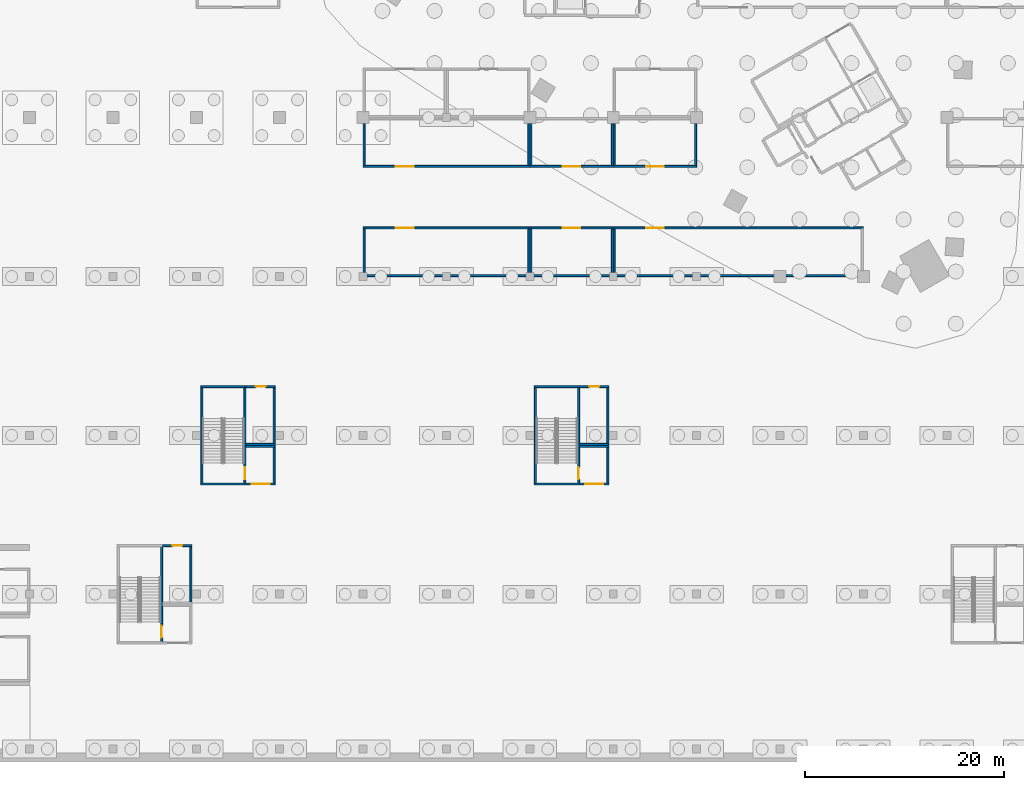
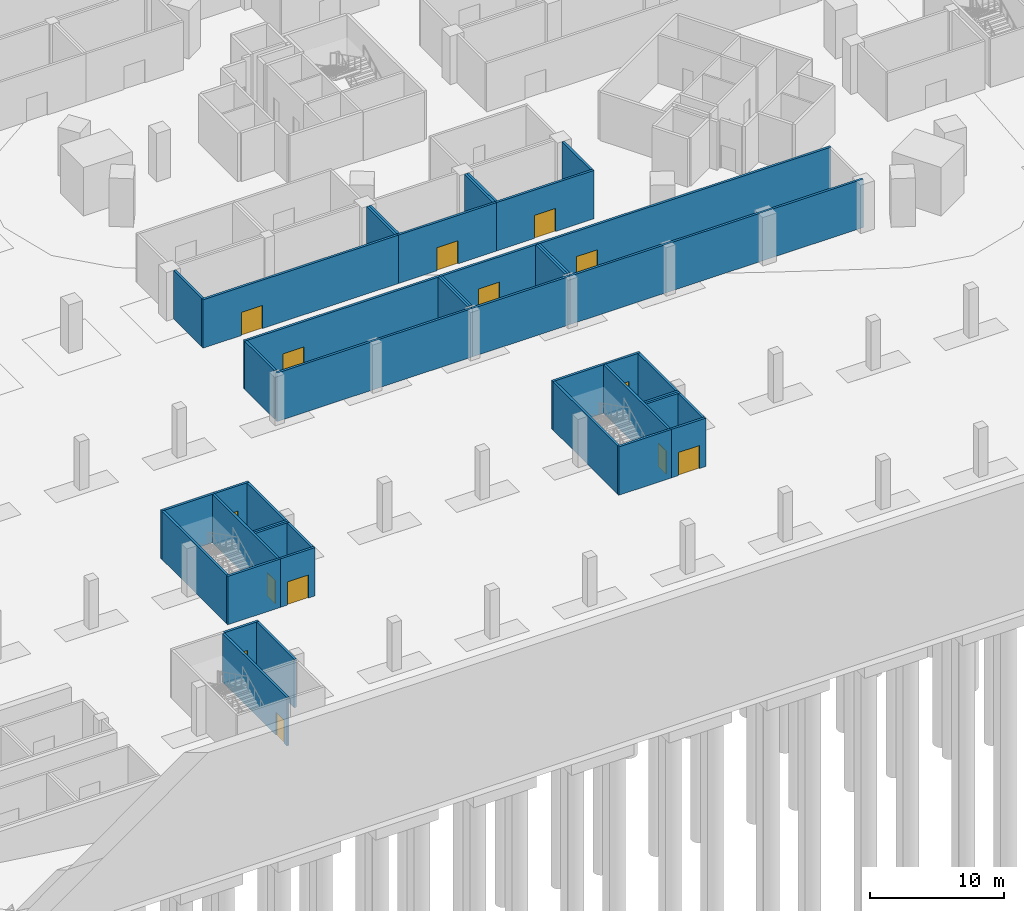
# One storey, part 9 of 46: 43 walls, 14 doors, 14 openings.
"""IFC4 building model written with IfcOpenShell, lengths in metres."""

from ifc_helpers import new_model, si_unit, direction, frame, frame_2d, origin, place, context, subcontext, project, spatial, rectangle, extrude, material, layer, layer_set, type_object, element, fill, save


model = new_model("IFC4")

# Units and contexts
model_context = context("Model", 3, precision=1e-05, world=origin(), true_north=direction((0.0, 1.0)))
body_context = subcontext(model_context, "Body", "Model", "MODEL_VIEW")
ifc_project = project(units=[si_unit("LENGTHUNIT", "METRE"), si_unit("AREAUNIT", "SQUARE_METRE"), si_unit("VOLUMEUNIT", "CUBIC_METRE"), si_unit("PLANEANGLEUNIT", "RADIAN"), si_unit("MASSUNIT", "GRAM", prefix="KILO")], contexts=[model_context])

# Site, building, storey
site_placement = place(None, origin())
site = spatial("IfcSite", under=ifc_project, at=site_placement, CompositionType="ELEMENT")
building_placement = place(site_placement, origin())
building = spatial("IfcBuilding", under=site, at=building_placement, Name="Tamra Quay Hotel Tower", CompositionType="ELEMENT")
storey_placement = place(building_placement, frame((0.0, 0.0, -12.0)))
storey = spatial("IfcBuildingStorey", under=building, at=storey_placement, Name="B3", CompositionType="ELEMENT", Elevation=-12.0)

# Wall
ifc_material_1 = material(Name="Blockwork", Category="masonry")
ifc_layer_1 = layer(ifc_material_1, 0.199951171875)
ifc_layer_set_1 = layer_set([ifc_layer_1], Name="Car park room wall 200")
wall_type_1 = type_object("IfcWallType", Name="Car park room wall 200", PredefinedType="PARTITIONING", material=ifc_layer_set_1)
wall_1_placement = place(storey_placement, frame((-38.699951171875, -31.89990234375, 0.0), z_axis=(0.0, 0.0, 1.0), x_axis=(1.0, 0.0, 0.0)))
element("IfcWall", 1, at=wall_1_placement, inside=storey, type_object=wall_type_1, Name="PW", PredefinedType="PARTITIONING", context=body_context, shape_type="SweptSolid", body=[
    extrude(rectangle(XDim=16.800048828125, YDim=0.199951171875, at=frame_2d((8.39990234375, 0.0))), origin(), (0.0, 0.0, 1.0), 4.39990234375),
])

# Wall, opening, door
wall_2_placement = place(storey_placement, frame((-38.699951171875, -27.10009765625, 0.0), z_axis=(0.0, 0.0, 1.0), x_axis=(1.0, 0.0, 0.0)))
wall_2 = element("IfcWall", 2, at=wall_2_placement, inside=storey, type_object=wall_type_1, Name="PW", PredefinedType="PARTITIONING", context=body_context, shape_type="SweptSolid", body=[
    extrude(rectangle(XDim=16.800048828125, YDim=0.199951171875, at=frame_2d((8.39990234375, 0.0))), origin(), (0.0, 0.0, 1.0), 4.39990234375),
])
opening_1_placement = place(wall_2_placement, frame((3.300048828125, 0.0, 0.0)))
opening_1 = element("IfcOpeningElement", 3, at=opening_1_placement, cuts=wall_2, Name="Opening PD2", PredefinedType="OPENING", context=body_context, shape_type="SweptSolid", body=[
    extrude(rectangle(XDim=1.800048828125, YDim=2.10009765625, at=frame_2d((0.89990234375, 1.050048828125))), frame((0.0, 0.10986328125, 0.0), z_axis=(0.0, -1.0, 0.0), x_axis=(1.0, 0.0, 0.0)), (0.0, 0.0, 1.0), 0.219970703125),
])
ifc_material_2 = material(Name="Plant door 1800 x 2100")
door_type_1 = type_object("IfcDoorType", Name="Plant door 1800 x 2100", OperationType="DOUBLE_DOOR_SINGLE_SWING", PredefinedType="DOOR", material=ifc_material_2)
door_1_placement = place(opening_1_placement, origin())
door_1 = element("IfcDoor", 4, at=door_1_placement, inside=storey, type_object=door_type_1, Name="PD2", OperationType="DOUBLE_DOOR_SINGLE_SWING", OverallHeight=2.10009765625, OverallWidth=1.800048828125, PredefinedType="DOOR", context=body_context, shape_type="SweptSolid", body=[
    extrude(rectangle(XDim=1.800048828125, YDim=2.10009765625, at=frame_2d((0.89990234375, 1.050048828125))), frame((0.0, 0.02490234375, 0.0), z_axis=(0.0, -1.0, 0.0), x_axis=(1.0, 0.0, 0.0)), (0.0, 0.0, 1.0), 0.050048828125),
])
fill(opening_1, door_1)

# Walls
for number, where, z_axis, x_axis, name in (
    (5, (-38.60009765625, -31.60009765625, 0.0), (0.0, 0.0, 1.0), (0.0, 1.0, 0.0), "PW"),
    (6, (-22.0, -31.60009765625, 0.0), (0.0, 0.0, 1.0), (0.0, 1.0, 0.0), "PW"),
):
    element("IfcWall", number, at=place(storey_placement, frame(where, z_axis=z_axis, x_axis=x_axis)), inside=storey, type_object=wall_type_1, Name=name, PredefinedType="PARTITIONING", context=body_context, shape_type="SweptSolid", body=[
        extrude(rectangle(XDim=4.400146484375, YDim=0.199951171875, at=frame_2d((2.2001953125, 0.0))), origin(), (0.0, 0.0, 1.0), 4.39990234375),
    ])
wall_3_placement = place(storey_placement, frame((-21.89990234375, -31.89990234375, 0.0), z_axis=(0.0, 0.0, 1.0), x_axis=(1.0, 0.0, 0.0)))
element("IfcWall", 7, at=wall_3_placement, inside=storey, type_object=wall_type_1, Name="PW", PredefinedType="PARTITIONING", context=body_context, shape_type="SweptSolid", body=[
    extrude(rectangle(XDim=8.39990234375, YDim=0.199951171875, at=frame_2d((4.199951171875, 0.0))), origin(), (0.0, 0.0, 1.0), 4.39990234375),
])

# Wall, opening, door
wall_4_placement = place(storey_placement, frame((-21.89990234375, -27.10009765625, 0.0), z_axis=(0.0, 0.0, 1.0), x_axis=(1.0, 0.0, 0.0)))
wall_4 = element("IfcWall", 8, at=wall_4_placement, inside=storey, type_object=wall_type_1, Name="PW", PredefinedType="PARTITIONING", context=body_context, shape_type="SweptSolid", body=[
    extrude(rectangle(XDim=8.39990234375, YDim=0.199951171875, at=frame_2d((4.199951171875, 0.0))), origin(), (0.0, 0.0, 1.0), 4.39990234375),
])
opening_2_placement = place(wall_4_placement, frame((3.300048828125, 0.0, 0.0)))
opening_2 = element("IfcOpeningElement", 9, at=opening_2_placement, cuts=wall_4, Name="Opening PD2", PredefinedType="OPENING", context=body_context, shape_type="SweptSolid", body=[
    extrude(rectangle(XDim=1.800048828125, YDim=2.10009765625, at=frame_2d((0.89990234375, 1.050048828125))), frame((0.0, 0.10986328125, 0.0), z_axis=(0.0, -1.0, 0.0), x_axis=(1.0, 0.0, 0.0)), (0.0, 0.0, 1.0), 0.219970703125),
])
door_2_placement = place(opening_2_placement, origin())
door_2 = element("IfcDoor", 10, at=door_2_placement, inside=storey, type_object=door_type_1, Name="PD2", OperationType="DOUBLE_DOOR_SINGLE_SWING", OverallHeight=2.10009765625, OverallWidth=1.800048828125, PredefinedType="DOOR", context=body_context, shape_type="SweptSolid", body=[
    extrude(rectangle(XDim=1.800048828125, YDim=2.10009765625, at=frame_2d((0.89990234375, 1.050048828125))), frame((0.0, 0.02490234375, 0.0), z_axis=(0.0, -1.0, 0.0), x_axis=(1.0, 0.0, 0.0)), (0.0, 0.0, 1.0), 0.050048828125),
])
fill(opening_2, door_2)

# Walls
for number, where, z_axis, x_axis, name in (
    (11, (-21.800048828125, -31.60009765625, 0.0), (0.0, 0.0, 1.0), (0.0, 1.0, 0.0), "PW"),
    (12, (-13.60009765625, -31.60009765625, 0.0), (0.0, 0.0, 1.0), (0.0, 1.0, 0.0), "PW"),
):
    element("IfcWall", number, at=place(storey_placement, frame(where, z_axis=z_axis, x_axis=x_axis)), inside=storey, type_object=wall_type_1, Name=name, PredefinedType="PARTITIONING", context=body_context, shape_type="SweptSolid", body=[
        extrude(rectangle(XDim=4.400146484375, YDim=0.199951171875, at=frame_2d((2.2001953125, 0.0))), origin(), (0.0, 0.0, 1.0), 4.39990234375),
    ])
wall_5_placement = place(storey_placement, frame((-13.5, -31.89990234375, 0.0), z_axis=(0.0, 0.0, 1.0), x_axis=(1.0, 0.0, 0.0)))
element("IfcWall", 13, at=wall_5_placement, inside=storey, type_object=wall_type_1, Name="PW", PredefinedType="PARTITIONING", context=body_context, shape_type="SweptSolid", body=[
    extrude(rectangle(XDim=25.199951171875, YDim=0.199951171875, at=frame_2d((12.60009765625, 0.0))), origin(), (0.0, 0.0, 1.0), 4.39990234375),
])

# Wall, opening, door
wall_6_placement = place(storey_placement, frame((-13.5, -27.10009765625, 0.0), z_axis=(0.0, 0.0, 1.0), x_axis=(1.0, 0.0, 0.0)))
wall_6 = element("IfcWall", 14, at=wall_6_placement, inside=storey, type_object=wall_type_1, Name="PW", PredefinedType="PARTITIONING", context=body_context, shape_type="SweptSolid", body=[
    extrude(rectangle(XDim=25.199951171875, YDim=0.199951171875, at=frame_2d((12.60009765625, 0.0))), origin(), (0.0, 0.0, 1.0), 4.39990234375),
])
opening_3_placement = place(wall_6_placement, frame((3.300048828125, 0.0, 0.0)))
opening_3 = element("IfcOpeningElement", 15, at=opening_3_placement, cuts=wall_6, Name="Opening PD2", PredefinedType="OPENING", context=body_context, shape_type="SweptSolid", body=[
    extrude(rectangle(XDim=1.800048828125, YDim=2.10009765625, at=frame_2d((0.89990234375, 1.050048828125))), frame((0.0, 0.10986328125, 0.0), z_axis=(0.0, -1.0, 0.0), x_axis=(1.0, 0.0, 0.0)), (0.0, 0.0, 1.0), 0.219970703125),
])
door_3_placement = place(opening_3_placement, origin())
door_3 = element("IfcDoor", 16, at=door_3_placement, inside=storey, type_object=door_type_1, Name="PD2", OperationType="DOUBLE_DOOR_SINGLE_SWING", OverallHeight=2.10009765625, OverallWidth=1.800048828125, PredefinedType="DOOR", context=body_context, shape_type="SweptSolid", body=[
    extrude(rectangle(XDim=1.800048828125, YDim=2.10009765625, at=frame_2d((0.89990234375, 1.050048828125))), frame((0.0, 0.02490234375, 0.0), z_axis=(0.0, -1.0, 0.0), x_axis=(1.0, 0.0, 0.0)), (0.0, 0.0, 1.0), 0.050048828125),
])
fill(opening_3, door_3)

# Wall
wall_7_placement = place(storey_placement, frame((-13.39990234375, -31.60009765625, 0.0), z_axis=(0.0, 0.0, 1.0), x_axis=(0.0, 1.0, 0.0)))
element("IfcWall", 17, at=wall_7_placement, inside=storey, type_object=wall_type_1, Name="PW", PredefinedType="PARTITIONING", context=body_context, shape_type="SweptSolid", body=[
    extrude(rectangle(XDim=4.400146484375, YDim=0.199951171875, at=frame_2d((2.2001953125, 0.0))), origin(), (0.0, 0.0, 1.0), 4.39990234375),
])

# Wall, opening, door
wall_8_placement = place(storey_placement, frame((-38.699951171875, -20.89990234375, 0.0), z_axis=(0.0, 0.0, 1.0), x_axis=(1.0, 0.0, 0.0)))
wall_8 = element("IfcWall", 18, at=wall_8_placement, inside=storey, type_object=wall_type_1, Name="PW", PredefinedType="PARTITIONING", context=body_context, shape_type="SweptSolid", body=[
    extrude(rectangle(XDim=16.800048828125, YDim=0.199951171875, at=frame_2d((8.39990234375, 0.0))), origin(), (0.0, 0.0, 1.0), 4.39990234375),
])
opening_4_placement = place(wall_8_placement, frame((3.300048828125, 0.0, 0.0)))
opening_4 = element("IfcOpeningElement", 19, at=opening_4_placement, cuts=wall_8, Name="Opening PD2", PredefinedType="OPENING", context=body_context, shape_type="SweptSolid", body=[
    extrude(rectangle(XDim=1.800048828125, YDim=2.10009765625, at=frame_2d((0.89990234375, 1.050048828125))), frame((0.0, 0.10986328125, 0.0), z_axis=(0.0, -1.0, 0.0), x_axis=(1.0, 0.0, 0.0)), (0.0, 0.0, 1.0), 0.219970703125),
])
door_4_placement = place(opening_4_placement, origin())
door_4 = element("IfcDoor", 20, at=door_4_placement, inside=storey, type_object=door_type_1, Name="PD2", OperationType="DOUBLE_DOOR_SINGLE_SWING", OverallHeight=2.10009765625, OverallWidth=1.800048828125, PredefinedType="DOOR", context=body_context, shape_type="SweptSolid", body=[
    extrude(rectangle(XDim=1.800048828125, YDim=2.10009765625, at=frame_2d((0.89990234375, 1.050048828125))), frame((0.0, 0.02490234375, 0.0), z_axis=(0.0, -1.0, 0.0), x_axis=(1.0, 0.0, 0.0)), (0.0, 0.0, 1.0), 0.050048828125),
])
fill(opening_4, door_4)

# Walls
for number, where, z_axis, x_axis, name in (
    (21, (-38.60009765625, -20.800048828125, 0.0), (0.0, 0.0, 1.0), (0.0, 1.0, 0.0), "PW"),
    (22, (-22.0, -20.800048828125, 0.0), (0.0, 0.0, 1.0), (0.0, 1.0, 0.0), "PW"),
):
    element("IfcWall", number, at=place(storey_placement, frame(where, z_axis=z_axis, x_axis=x_axis)), inside=storey, type_object=wall_type_1, Name=name, PredefinedType="PARTITIONING", context=body_context, shape_type="SweptSolid", body=[
        extrude(rectangle(XDim=4.199951171875, YDim=0.199951171875, at=frame_2d((2.10009765625, 0.0))), origin(), (0.0, 0.0, 1.0), 4.39990234375),
    ])

# Wall, opening, door
wall_9_placement = place(storey_placement, frame((-21.89990234375, -20.89990234375, 0.0), z_axis=(0.0, 0.0, 1.0), x_axis=(1.0, 0.0, 0.0)))
wall_9 = element("IfcWall", 23, at=wall_9_placement, inside=storey, type_object=wall_type_1, Name="PW", PredefinedType="PARTITIONING", context=body_context, shape_type="SweptSolid", body=[
    extrude(rectangle(XDim=8.39990234375, YDim=0.199951171875, at=frame_2d((4.199951171875, 0.0))), origin(), (0.0, 0.0, 1.0), 4.39990234375),
])
opening_5_placement = place(wall_9_placement, frame((3.300048828125, 0.0, 0.0)))
opening_5 = element("IfcOpeningElement", 24, at=opening_5_placement, cuts=wall_9, Name="Opening PD2", PredefinedType="OPENING", context=body_context, shape_type="SweptSolid", body=[
    extrude(rectangle(XDim=1.800048828125, YDim=2.10009765625, at=frame_2d((0.89990234375, 1.050048828125))), frame((0.0, 0.10986328125, 0.0), z_axis=(0.0, -1.0, 0.0), x_axis=(1.0, 0.0, 0.0)), (0.0, 0.0, 1.0), 0.219970703125),
])
door_5_placement = place(opening_5_placement, origin())
door_5 = element("IfcDoor", 25, at=door_5_placement, inside=storey, type_object=door_type_1, Name="PD2", OperationType="DOUBLE_DOOR_SINGLE_SWING", OverallHeight=2.10009765625, OverallWidth=1.800048828125, PredefinedType="DOOR", context=body_context, shape_type="SweptSolid", body=[
    extrude(rectangle(XDim=1.800048828125, YDim=2.10009765625, at=frame_2d((0.89990234375, 1.050048828125))), frame((0.0, 0.02490234375, 0.0), z_axis=(0.0, -1.0, 0.0), x_axis=(1.0, 0.0, 0.0)), (0.0, 0.0, 1.0), 0.050048828125),
])
fill(opening_5, door_5)

# Walls
for number, where, z_axis, x_axis, name in (
    (26, (-21.800048828125, -20.800048828125, 0.0), (0.0, 0.0, 1.0), (0.0, 1.0, 0.0), "PW"),
    (27, (-13.60009765625, -20.800048828125, 0.0), (0.0, 0.0, 1.0), (0.0, 1.0, 0.0), "PW"),
):
    element("IfcWall", number, at=place(storey_placement, frame(where, z_axis=z_axis, x_axis=x_axis)), inside=storey, type_object=wall_type_1, Name=name, PredefinedType="PARTITIONING", context=body_context, shape_type="SweptSolid", body=[
        extrude(rectangle(XDim=4.199951171875, YDim=0.199951171875, at=frame_2d((2.10009765625, 0.0))), origin(), (0.0, 0.0, 1.0), 4.39990234375),
    ])

# Wall, opening, door
wall_10_placement = place(storey_placement, frame((-13.5, -20.89990234375, 0.0), z_axis=(0.0, 0.0, 1.0), x_axis=(1.0, 0.0, 0.0)))
wall_10 = element("IfcWall", 28, at=wall_10_placement, inside=storey, type_object=wall_type_1, Name="PW", PredefinedType="PARTITIONING", context=body_context, shape_type="SweptSolid", body=[
    extrude(rectangle(XDim=8.39990234375, YDim=0.199951171875, at=frame_2d((4.199951171875, 0.0))), origin(), (0.0, 0.0, 1.0), 4.39990234375),
])
opening_6_placement = place(wall_10_placement, frame((3.300048828125, 0.0, 0.0)))
opening_6 = element("IfcOpeningElement", 29, at=opening_6_placement, cuts=wall_10, Name="Opening PD2", PredefinedType="OPENING", context=body_context, shape_type="SweptSolid", body=[
    extrude(rectangle(XDim=1.800048828125, YDim=2.10009765625, at=frame_2d((0.89990234375, 1.050048828125))), frame((0.0, 0.10986328125, 0.0), z_axis=(0.0, -1.0, 0.0), x_axis=(1.0, 0.0, 0.0)), (0.0, 0.0, 1.0), 0.219970703125),
])
door_6_placement = place(opening_6_placement, origin())
door_6 = element("IfcDoor", 30, at=door_6_placement, inside=storey, type_object=door_type_1, Name="PD2", OperationType="DOUBLE_DOOR_SINGLE_SWING", OverallHeight=2.10009765625, OverallWidth=1.800048828125, PredefinedType="DOOR", context=body_context, shape_type="SweptSolid", body=[
    extrude(rectangle(XDim=1.800048828125, YDim=2.10009765625, at=frame_2d((0.89990234375, 1.050048828125))), frame((0.0, 0.02490234375, 0.0), z_axis=(0.0, -1.0, 0.0), x_axis=(1.0, 0.0, 0.0)), (0.0, 0.0, 1.0), 0.050048828125),
])
fill(opening_6, door_6)

# Walls
for number, where, z_axis, x_axis, name in (
    (31, (-13.39990234375, -20.800048828125, 0.0), (0.0, 0.0, 1.0), (0.0, 1.0, 0.0), "PW"),
    (32, (-5.199951171875, -20.800048828125, 0.0), (0.0, 0.0, 1.0), (0.0, 1.0, 0.0), "PW"),
):
    element("IfcWall", number, at=place(storey_placement, frame(where, z_axis=z_axis, x_axis=x_axis)), inside=storey, type_object=wall_type_1, Name=name, PredefinedType="PARTITIONING", context=body_context, shape_type="SweptSolid", body=[
        extrude(rectangle(XDim=4.199951171875, YDim=0.199951171875, at=frame_2d((2.10009765625, 0.0))), origin(), (0.0, 0.0, 1.0), 4.39990234375),
    ])

# Wall, opening, door
wall_11_placement = place(storey_placement, frame((-58.89990234375, -59.10009765625, 0.0), z_axis=(0.0, 0.0, 1.0), x_axis=(1.0, 0.0, 0.0)))
wall_11 = element("IfcWall", 33, at=wall_11_placement, inside=storey, type_object=wall_type_1, Name="PW", PredefinedType="PARTITIONING", context=body_context, shape_type="SweptSolid", body=[
    extrude(rectangle(XDim=2.949951171875, YDim=0.199951171875, at=frame_2d((1.47509765625, 0.0))), origin(), (0.0, 0.0, 1.0), 4.39990234375),
])
opening_7_placement = place(wall_11_placement, frame((0.97509765625, 0.0, 0.0)))
opening_7 = element("IfcOpeningElement", 34, at=opening_7_placement, cuts=wall_11, Name="Opening PD1", PredefinedType="OPENING", context=body_context, shape_type="SweptSolid", body=[
    extrude(rectangle(XDim=1.0, YDim=2.10009765625, at=frame_2d((0.5, 1.050048828125))), frame((0.0, 0.10986328125, 0.0), z_axis=(0.0, -1.0, 0.0), x_axis=(1.0, 0.0, 0.0)), (0.0, 0.0, 1.0), 0.219970703125),
])
ifc_material_3 = material(Name="Car park door 1000 x 2100")
door_type_2 = type_object("IfcDoorType", Name="Car park door 1000 x 2100", OperationType="NOTDEFINED", PredefinedType="DOOR", material=ifc_material_3)
door_7_placement = place(opening_7_placement, origin())
door_7 = element("IfcDoor", 35, at=door_7_placement, inside=storey, type_object=door_type_2, Name="PD1", OperationType="SINGLE_SWING_LEFT", OverallHeight=2.10009765625, OverallWidth=1.0, PredefinedType="DOOR", context=body_context, shape_type="SweptSolid", body=[
    extrude(rectangle(XDim=1.0, YDim=2.10009765625, at=frame_2d((0.5, 1.050048828125))), frame((0.0, 0.02490234375, 0.0), z_axis=(0.0, -1.0, 0.0), x_axis=(1.0, 0.0, 0.0)), (0.0, 0.0, 1.0), 0.050048828125),
])
fill(opening_7, door_7)

# Wall
wall_12_placement = place(storey_placement, frame((-56.050048828125, -64.800048828125, 0.0), z_axis=(0.0, 0.0, 1.0), x_axis=(0.0, 1.0, 0.0)))
element("IfcWall", 36, at=wall_12_placement, inside=storey, type_object=wall_type_1, Name="PW", PredefinedType="PARTITIONING", context=body_context, shape_type="SweptSolid", body=[
    extrude(rectangle(XDim=5.60009765625, YDim=0.199951171875, at=frame_2d((2.800048828125, 0.0))), origin(), (0.0, 0.0, 1.0), 4.39990234375),
])

# Wall, opening, door
wall_13_placement = place(storey_placement, frame((-50.5, -52.89990234375, 0.0), z_axis=(0.0, 0.0, 1.0), x_axis=(1.0, 0.0, 0.0)))
wall_13 = element("IfcWall", 37, at=wall_13_placement, inside=storey, type_object=wall_type_1, Name="PW", PredefinedType="PARTITIONING", context=body_context, shape_type="SweptSolid", body=[
    extrude(rectangle(XDim=2.949951171875, YDim=0.199951171875, at=frame_2d((1.47509765625, 0.0))), origin(), (0.0, 0.0, 1.0), 4.39990234375),
])
opening_8_placement = place(wall_13_placement, frame((0.574951171875, 0.0, 0.0)))
opening_8 = element("IfcOpeningElement", 38, at=opening_8_placement, cuts=wall_13, Name="Opening PD2", PredefinedType="OPENING", context=body_context, shape_type="SweptSolid", body=[
    extrude(rectangle(XDim=1.800048828125, YDim=2.10009765625, at=frame_2d((0.89990234375, 1.050048828125))), frame((0.0, 0.10986328125, 0.0), z_axis=(0.0, -1.0, 0.0), x_axis=(1.0, 0.0, 0.0)), (0.0, 0.0, 1.0), 0.219970703125),
])
door_8_placement = place(opening_8_placement, origin())
door_8 = element("IfcDoor", 39, at=door_8_placement, inside=storey, type_object=door_type_1, Name="PD2", OperationType="DOUBLE_DOOR_SINGLE_SWING", OverallHeight=2.10009765625, OverallWidth=1.800048828125, PredefinedType="DOOR", context=body_context, shape_type="SweptSolid", body=[
    extrude(rectangle(XDim=1.800048828125, YDim=2.10009765625, at=frame_2d((0.89990234375, 1.050048828125))), frame((0.0, 0.02490234375, 0.0), z_axis=(0.0, -1.0, 0.0), x_axis=(1.0, 0.0, 0.0)), (0.0, 0.0, 1.0), 0.050048828125),
])
fill(opening_8, door_8)

# Walls
wall_14_placement = place(storey_placement, frame((-50.5, -49.10009765625, 0.0), z_axis=(0.0, 0.0, 1.0), x_axis=(1.0, 0.0, 0.0)))
element("IfcWall", 40, at=wall_14_placement, inside=storey, type_object=wall_type_1, Name="PW", PredefinedType="PARTITIONING", context=body_context, shape_type="SweptSolid", body=[
    extrude(rectangle(XDim=2.949951171875, YDim=0.199951171875, at=frame_2d((1.47509765625, 0.0))), origin(), (0.0, 0.0, 1.0), 4.39990234375),
])
wall_15_placement = place(storey_placement, frame((-47.64990234375, -52.800048828125, 0.0), z_axis=(0.0, 0.0, 1.0), x_axis=(0.0, 1.0, 0.0)))
element("IfcWall", 41, at=wall_15_placement, inside=storey, type_object=wall_type_1, Name="PW", PredefinedType="PARTITIONING", context=body_context, shape_type="SweptSolid", body=[
    extrude(rectangle(XDim=3.60009765625, YDim=0.199951171875, at=frame_2d((1.800048828125, 0.0))), origin(), (0.0, 0.0, 1.0), 4.39990234375),
])
wall_16_placement = place(storey_placement, frame((-50.5, -48.89990234375, 0.0), z_axis=(0.0, 0.0, 1.0), x_axis=(1.0, 0.0, 0.0)))
element("IfcWall", 42, at=wall_16_placement, inside=storey, type_object=wall_type_1, Name="PW", PredefinedType="PARTITIONING", context=body_context, shape_type="SweptSolid", body=[
    extrude(rectangle(XDim=2.949951171875, YDim=0.199951171875, at=frame_2d((1.47509765625, 0.0))), origin(), (0.0, 0.0, 1.0), 4.39990234375),
])

# Wall, opening, door
wall_17_placement = place(storey_placement, frame((-50.5, -43.10009765625, 0.0), z_axis=(0.0, 0.0, 1.0), x_axis=(1.0, 0.0, 0.0)))
wall_17 = element("IfcWall", 43, at=wall_17_placement, inside=storey, type_object=wall_type_1, Name="PW", PredefinedType="PARTITIONING", context=body_context, shape_type="SweptSolid", body=[
    extrude(rectangle(XDim=2.949951171875, YDim=0.199951171875, at=frame_2d((1.47509765625, 0.0))), origin(), (0.0, 0.0, 1.0), 4.39990234375),
])
opening_9_placement = place(wall_17_placement, frame((0.97509765625, 0.0, 0.0)))
opening_9 = element("IfcOpeningElement", 44, at=opening_9_placement, cuts=wall_17, Name="Opening PD1", PredefinedType="OPENING", context=body_context, shape_type="SweptSolid", body=[
    extrude(rectangle(XDim=1.0, YDim=2.10009765625, at=frame_2d((0.5, 1.050048828125))), frame((0.0, 0.10986328125, 0.0), z_axis=(0.0, -1.0, 0.0), x_axis=(1.0, 0.0, 0.0)), (0.0, 0.0, 1.0), 0.219970703125),
])
door_9_placement = place(opening_9_placement, origin())
door_9 = element("IfcDoor", 45, at=door_9_placement, inside=storey, type_object=door_type_2, Name="PD1", OperationType="SINGLE_SWING_LEFT", OverallHeight=2.10009765625, OverallWidth=1.0, PredefinedType="DOOR", context=body_context, shape_type="SweptSolid", body=[
    extrude(rectangle(XDim=1.0, YDim=2.10009765625, at=frame_2d((0.5, 1.050048828125))), frame((0.0, 0.02490234375, 0.0), z_axis=(0.0, -1.0, 0.0), x_axis=(1.0, 0.0, 0.0)), (0.0, 0.0, 1.0), 0.050048828125),
])
fill(opening_9, door_9)

# Wall
wall_18_placement = place(storey_placement, frame((-47.64990234375, -48.800048828125, 0.0), z_axis=(0.0, 0.0, 1.0), x_axis=(0.0, 1.0, 0.0)))
element("IfcWall", 46, at=wall_18_placement, inside=storey, type_object=wall_type_1, Name="PW", PredefinedType="PARTITIONING", context=body_context, shape_type="SweptSolid", body=[
    extrude(rectangle(XDim=5.60009765625, YDim=0.199951171875, at=frame_2d((2.800048828125, 0.0))), origin(), (0.0, 0.0, 1.0), 4.39990234375),
])

# Wall, opening, door
wall_19_placement = place(storey_placement, frame((-16.89990234375, -52.89990234375, 0.0), z_axis=(0.0, 0.0, 1.0), x_axis=(1.0, 0.0, 0.0)))
wall_19 = element("IfcWall", 47, at=wall_19_placement, inside=storey, type_object=wall_type_1, Name="PW", PredefinedType="PARTITIONING", context=body_context, shape_type="SweptSolid", body=[
    extrude(rectangle(XDim=2.949951171875, YDim=0.199951171875, at=frame_2d((1.47509765625, 0.0))), origin(), (0.0, 0.0, 1.0), 4.39990234375),
])
opening_10_placement = place(wall_19_placement, frame((0.574951171875, 0.0, 0.0)))
opening_10 = element("IfcOpeningElement", 48, at=opening_10_placement, cuts=wall_19, Name="Opening PD2", PredefinedType="OPENING", context=body_context, shape_type="SweptSolid", body=[
    extrude(rectangle(XDim=1.800048828125, YDim=2.10009765625, at=frame_2d((0.89990234375, 1.050048828125))), frame((0.0, 0.10986328125, 0.0), z_axis=(0.0, -1.0, 0.0), x_axis=(1.0, 0.0, 0.0)), (0.0, 0.0, 1.0), 0.219970703125),
])
door_10_placement = place(opening_10_placement, origin())
door_10 = element("IfcDoor", 49, at=door_10_placement, inside=storey, type_object=door_type_1, Name="PD2", OperationType="DOUBLE_DOOR_SINGLE_SWING", OverallHeight=2.10009765625, OverallWidth=1.800048828125, PredefinedType="DOOR", context=body_context, shape_type="SweptSolid", body=[
    extrude(rectangle(XDim=1.800048828125, YDim=2.10009765625, at=frame_2d((0.89990234375, 1.050048828125))), frame((0.0, 0.02490234375, 0.0), z_axis=(0.0, -1.0, 0.0), x_axis=(1.0, 0.0, 0.0)), (0.0, 0.0, 1.0), 0.050048828125),
])
fill(opening_10, door_10)

# Walls
wall_20_placement = place(storey_placement, frame((-16.89990234375, -49.10009765625, 0.0), z_axis=(0.0, 0.0, 1.0), x_axis=(1.0, 0.0, 0.0)))
element("IfcWall", 50, at=wall_20_placement, inside=storey, type_object=wall_type_1, Name="PW", PredefinedType="PARTITIONING", context=body_context, shape_type="SweptSolid", body=[
    extrude(rectangle(XDim=2.949951171875, YDim=0.199951171875, at=frame_2d((1.47509765625, 0.0))), origin(), (0.0, 0.0, 1.0), 4.39990234375),
])
wall_21_placement = place(storey_placement, frame((-14.050048828125, -52.800048828125, 0.0), z_axis=(0.0, 0.0, 1.0), x_axis=(0.0, 1.0, 0.0)))
element("IfcWall", 51, at=wall_21_placement, inside=storey, type_object=wall_type_1, Name="PW", PredefinedType="PARTITIONING", context=body_context, shape_type="SweptSolid", body=[
    extrude(rectangle(XDim=3.60009765625, YDim=0.199951171875, at=frame_2d((1.800048828125, 0.0))), origin(), (0.0, 0.0, 1.0), 4.39990234375),
])
wall_22_placement = place(storey_placement, frame((-16.89990234375, -48.89990234375, 0.0), z_axis=(0.0, 0.0, 1.0), x_axis=(1.0, 0.0, 0.0)))
element("IfcWall", 52, at=wall_22_placement, inside=storey, type_object=wall_type_1, Name="PW", PredefinedType="PARTITIONING", context=body_context, shape_type="SweptSolid", body=[
    extrude(rectangle(XDim=2.949951171875, YDim=0.199951171875, at=frame_2d((1.47509765625, 0.0))), origin(), (0.0, 0.0, 1.0), 4.39990234375),
])

# Wall, opening, door
wall_23_placement = place(storey_placement, frame((-16.89990234375, -43.10009765625, 0.0), z_axis=(0.0, 0.0, 1.0), x_axis=(1.0, 0.0, 0.0)))
wall_23 = element("IfcWall", 53, at=wall_23_placement, inside=storey, type_object=wall_type_1, Name="PW", PredefinedType="PARTITIONING", context=body_context, shape_type="SweptSolid", body=[
    extrude(rectangle(XDim=2.949951171875, YDim=0.199951171875, at=frame_2d((1.47509765625, 0.0))), origin(), (0.0, 0.0, 1.0), 4.39990234375),
])
opening_11_placement = place(wall_23_placement, frame((0.97509765625, 0.0, 0.0)))
opening_11 = element("IfcOpeningElement", 54, at=opening_11_placement, cuts=wall_23, Name="Opening PD1", PredefinedType="OPENING", context=body_context, shape_type="SweptSolid", body=[
    extrude(rectangle(XDim=1.0, YDim=2.10009765625, at=frame_2d((0.5, 1.050048828125))), frame((0.0, 0.10986328125, 0.0), z_axis=(0.0, -1.0, 0.0), x_axis=(1.0, 0.0, 0.0)), (0.0, 0.0, 1.0), 0.219970703125),
])
door_11_placement = place(opening_11_placement, origin())
door_11 = element("IfcDoor", 55, at=door_11_placement, inside=storey, type_object=door_type_2, Name="PD1", OperationType="SINGLE_SWING_LEFT", OverallHeight=2.10009765625, OverallWidth=1.0, PredefinedType="DOOR", context=body_context, shape_type="SweptSolid", body=[
    extrude(rectangle(XDim=1.0, YDim=2.10009765625, at=frame_2d((0.5, 1.050048828125))), frame((0.0, 0.02490234375, 0.0), z_axis=(0.0, -1.0, 0.0), x_axis=(1.0, 0.0, 0.0)), (0.0, 0.0, 1.0), 0.050048828125),
])
fill(opening_11, door_11)

# Wall
wall_24_placement = place(storey_placement, frame((-14.050048828125, -48.800048828125, 0.0), z_axis=(0.0, 0.0, 1.0), x_axis=(0.0, 1.0, 0.0)))
element("IfcWall", 56, at=wall_24_placement, inside=storey, type_object=wall_type_1, Name="PW", PredefinedType="PARTITIONING", context=body_context, shape_type="SweptSolid", body=[
    extrude(rectangle(XDim=5.60009765625, YDim=0.199951171875, at=frame_2d((2.800048828125, 0.0))), origin(), (0.0, 0.0, 1.0), 4.39990234375),
])

# Wall, opening, door
ifc_material_4 = material(Name="Concrete M70", Category="concrete")
ifc_layer_2 = layer(ifc_material_4, 0.199951171875)
ifc_layer_set_2 = layer_set([ifc_layer_2], Name="Concrete M70 stair enclosure wall 200")
wall_type_2 = type_object("IfcWallType", Name="Concrete M70 stair enclosure wall 200", PredefinedType="SOLIDWALL", material=ifc_layer_set_2)
wall_25_placement = place(storey_placement, frame((-59.0, -68.800048828125, 0.0), z_axis=(0.0, 0.0, 1.0), x_axis=(0.0, 1.0, 0.0)))
wall_25 = element("IfcWall", 57, at=wall_25_placement, inside=storey, type_object=wall_type_2, Name="SEW", PredefinedType="SOLIDWALL", context=body_context, shape_type="SweptSolid", body=[
    extrude(rectangle(XDim=9.60009765625, YDim=0.199951171875, at=frame_2d((4.800048828125, 0.0))), origin(), (0.0, 0.0, 1.0), 4.39990234375),
])
opening_12_placement = place(wall_25_placement, frame((0.39990234375, 0.0, 0.0)))
opening_12 = element("IfcOpeningElement", 58, at=opening_12_placement, cuts=wall_25, Name="Opening SD1", PredefinedType="OPENING", context=body_context, shape_type="SweptSolid", body=[
    extrude(rectangle(XDim=1.199951171875, YDim=2.10009765625, at=frame_2d((0.60009765625, 1.050048828125))), frame((0.0, 0.10986328125, 0.0), z_axis=(0.0, -1.0, 0.0), x_axis=(1.0, 0.0, 0.0)), (0.0, 0.0, 1.0), 0.219970703125),
])
ifc_material_5 = material(Name="Stair door 1200 x 2100")
door_type_3 = type_object("IfcDoorType", Name="Stair door 1200 x 2100", OperationType="NOTDEFINED", PredefinedType="DOOR", material=ifc_material_5)
door_12_placement = place(opening_12_placement, origin())
door_12 = element("IfcDoor", 59, at=door_12_placement, inside=storey, type_object=door_type_3, Name="SD1", OperationType="SINGLE_SWING_LEFT", OverallHeight=2.10009765625, OverallWidth=1.199951171875, PredefinedType="DOOR", context=body_context, shape_type="SweptSolid", body=[
    extrude(rectangle(XDim=1.199951171875, YDim=2.10009765625, at=frame_2d((0.60009765625, 1.050048828125))), frame((0.0, 0.02490234375, 0.0), z_axis=(0.0, -1.0, 0.0), x_axis=(1.0, 0.0, 0.0)), (0.0, 0.0, 1.0), 0.050048828125),
])
fill(opening_12, door_12)

# Wall
wall_26_placement = place(storey_placement, frame((-54.949951171875, -52.800048828125, 0.0), z_axis=(0.0, 0.0, 1.0), x_axis=(0.0, 1.0, 0.0)))
element("IfcWall", 60, at=wall_26_placement, inside=storey, type_object=wall_type_2, Name="SEW", PredefinedType="SOLIDWALL", context=body_context, shape_type="SweptSolid", body=[
    extrude(rectangle(XDim=9.60009765625, YDim=0.199951171875, at=frame_2d((4.800048828125, 0.0))), origin(), (0.0, 0.0, 1.0), 4.39990234375),
])

# Wall, opening, door
wall_27_placement = place(storey_placement, frame((-50.60009765625, -52.800048828125, 0.0), z_axis=(0.0, 0.0, 1.0), x_axis=(0.0, 1.0, 0.0)))
wall_27 = element("IfcWall", 61, at=wall_27_placement, inside=storey, type_object=wall_type_2, Name="SEW", PredefinedType="SOLIDWALL", context=body_context, shape_type="SweptSolid", body=[
    extrude(rectangle(XDim=9.60009765625, YDim=0.199951171875, at=frame_2d((4.800048828125, 0.0))), origin(), (0.0, 0.0, 1.0), 4.39990234375),
])
opening_13_placement = place(wall_27_placement, frame((0.39990234375, 0.0, 0.0)))
opening_13 = element("IfcOpeningElement", 62, at=opening_13_placement, cuts=wall_27, Name="Opening SD1", PredefinedType="OPENING", context=body_context, shape_type="SweptSolid", body=[
    extrude(rectangle(XDim=1.199951171875, YDim=2.10009765625, at=frame_2d((0.60009765625, 1.050048828125))), frame((0.0, 0.10986328125, 0.0), z_axis=(0.0, -1.0, 0.0), x_axis=(1.0, 0.0, 0.0)), (0.0, 0.0, 1.0), 0.219970703125),
])
door_13_placement = place(opening_13_placement, origin())
door_13 = element("IfcDoor", 63, at=door_13_placement, inside=storey, type_object=door_type_3, Name="SD1", OperationType="SINGLE_SWING_LEFT", OverallHeight=2.10009765625, OverallWidth=1.199951171875, PredefinedType="DOOR", context=body_context, shape_type="SweptSolid", body=[
    extrude(rectangle(XDim=1.199951171875, YDim=2.10009765625, at=frame_2d((0.60009765625, 1.050048828125))), frame((0.0, 0.02490234375, 0.0), z_axis=(0.0, -1.0, 0.0), x_axis=(1.0, 0.0, 0.0)), (0.0, 0.0, 1.0), 0.050048828125),
])
fill(opening_13, door_13)

# Walls
for number, where, z_axis, x_axis, name in (
    (64, (-50.5, -52.89990234375, 0.0), (0.0, 0.0, 1.0), (-1.0, 0.0, 0.0), "SEW"),
    (65, (-55.050048828125, -43.10009765625, 0.0), (0.0, 0.0, 1.0), (1.0, 0.0, 0.0), "SEW"),
):
    element("IfcWall", number, at=place(storey_placement, frame(where, z_axis=z_axis, x_axis=x_axis)), inside=storey, type_object=wall_type_2, Name=name, PredefinedType="SOLIDWALL", context=body_context, shape_type="SweptSolid", body=[
        extrude(rectangle(XDim=4.550048828125, YDim=0.199951171875, at=frame_2d((2.27490234375, 0.0))), origin(), (0.0, 0.0, 1.0), 4.39990234375),
    ])
wall_28_placement = place(storey_placement, frame((-21.35009765625, -52.800048828125, 0.0), z_axis=(0.0, 0.0, 1.0), x_axis=(0.0, 1.0, 0.0)))
element("IfcWall", 66, at=wall_28_placement, inside=storey, type_object=wall_type_2, Name="SEW", PredefinedType="SOLIDWALL", context=body_context, shape_type="SweptSolid", body=[
    extrude(rectangle(XDim=9.60009765625, YDim=0.199951171875, at=frame_2d((4.800048828125, 0.0))), origin(), (0.0, 0.0, 1.0), 4.39990234375),
])

# Wall, opening, door
wall_29_placement = place(storey_placement, frame((-17.0, -52.800048828125, 0.0), z_axis=(0.0, 0.0, 1.0), x_axis=(0.0, 1.0, 0.0)))
wall_29 = element("IfcWall", 67, at=wall_29_placement, inside=storey, type_object=wall_type_2, Name="SEW", PredefinedType="SOLIDWALL", context=body_context, shape_type="SweptSolid", body=[
    extrude(rectangle(XDim=9.60009765625, YDim=0.199951171875, at=frame_2d((4.800048828125, 0.0))), origin(), (0.0, 0.0, 1.0), 4.39990234375),
])
opening_14_placement = place(wall_29_placement, frame((0.39990234375, 0.0, 0.0)))
opening_14 = element("IfcOpeningElement", 68, at=opening_14_placement, cuts=wall_29, Name="Opening SD1", PredefinedType="OPENING", context=body_context, shape_type="SweptSolid", body=[
    extrude(rectangle(XDim=1.199951171875, YDim=2.10009765625, at=frame_2d((0.60009765625, 1.050048828125))), frame((0.0, 0.10986328125, 0.0), z_axis=(0.0, -1.0, 0.0), x_axis=(1.0, 0.0, 0.0)), (0.0, 0.0, 1.0), 0.219970703125),
])
door_14_placement = place(opening_14_placement, origin())
door_14 = element("IfcDoor", 69, at=door_14_placement, inside=storey, type_object=door_type_3, Name="SD1", OperationType="SINGLE_SWING_LEFT", OverallHeight=2.10009765625, OverallWidth=1.199951171875, PredefinedType="DOOR", context=body_context, shape_type="SweptSolid", body=[
    extrude(rectangle(XDim=1.199951171875, YDim=2.10009765625, at=frame_2d((0.60009765625, 1.050048828125))), frame((0.0, 0.02490234375, 0.0), z_axis=(0.0, -1.0, 0.0), x_axis=(1.0, 0.0, 0.0)), (0.0, 0.0, 1.0), 0.050048828125),
])
fill(opening_14, door_14)

# Walls
for number, where, z_axis, x_axis, name in (
    (70, (-16.89990234375, -52.89990234375, 0.0), (0.0, 0.0, 1.0), (-1.0, 0.0, 0.0), "SEW"),
    (71, (-21.449951171875, -43.10009765625, 0.0), (0.0, 0.0, 1.0), (1.0, 0.0, 0.0), "SEW"),
):
    element("IfcWall", number, at=place(storey_placement, frame(where, z_axis=z_axis, x_axis=x_axis)), inside=storey, type_object=wall_type_2, Name=name, PredefinedType="SOLIDWALL", context=body_context, shape_type="SweptSolid", body=[
        extrude(rectangle(XDim=4.550048828125, YDim=0.199951171875, at=frame_2d((2.27490234375, 0.0))), origin(), (0.0, 0.0, 1.0), 4.39990234375),
    ])

save(model, "model.ifc")
